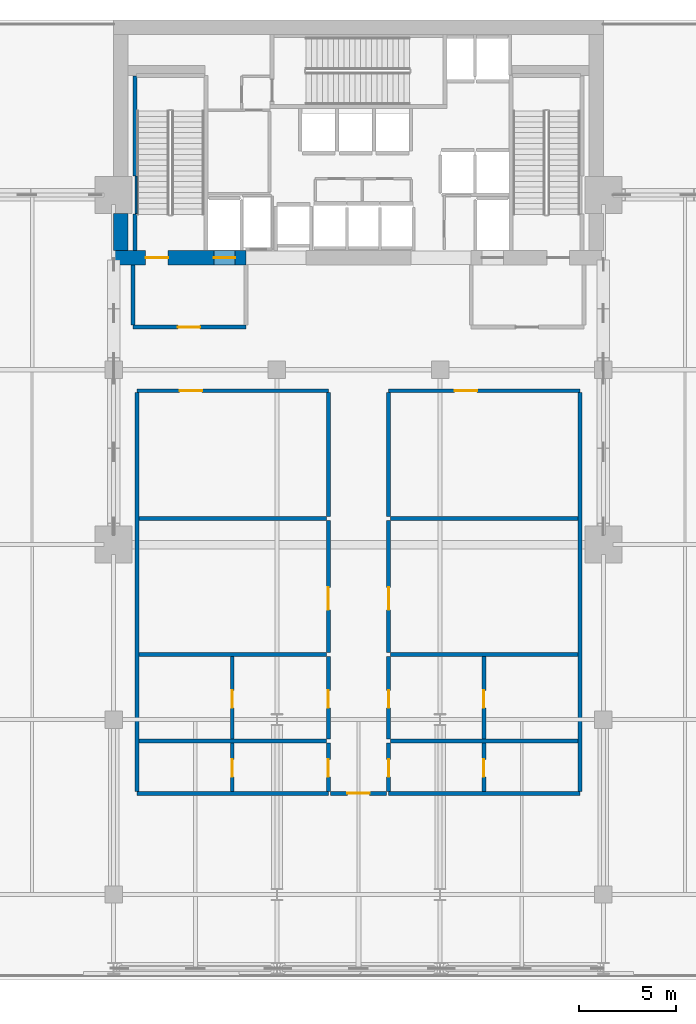
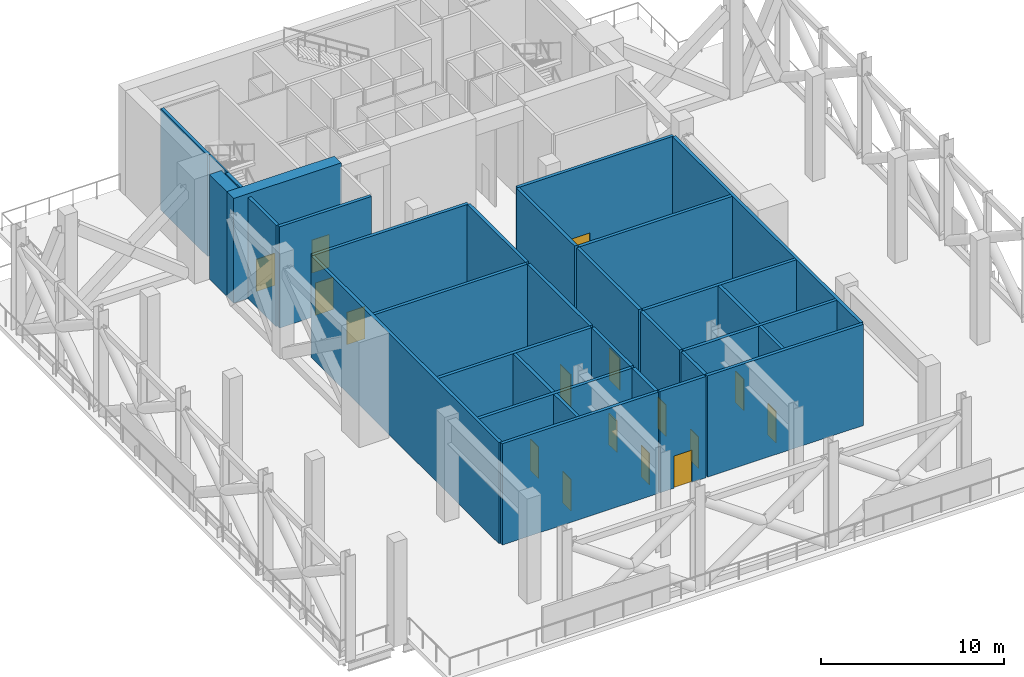
# One storey, part 9 of 14: 32 walls, 16 doors, 16 openings.
"""IFC4 building model written with IfcOpenShell, lengths in metres."""

from ifc_helpers import new_model, si_unit, direction, frame, frame_2d, origin, place, context, subcontext, project, spatial, rectangle, extrude, material, layer, layer_set, type_object, element, fill, save


model = new_model("IFC4")

# Units and contexts
model_context = context("Model", 3, precision=1e-05, world=origin(), true_north=direction((0.0, 1.0)))
body_context = subcontext(model_context, "Body", "Model", "MODEL_VIEW")
ifc_project = project(units=[si_unit("LENGTHUNIT", "METRE"), si_unit("AREAUNIT", "SQUARE_METRE"), si_unit("VOLUMEUNIT", "CUBIC_METRE"), si_unit("PLANEANGLEUNIT", "RADIAN"), si_unit("MASSUNIT", "GRAM", prefix="KILO")], contexts=[model_context])

# Site, building, storey
site_placement = place(None, origin())
site = spatial("IfcSite", under=ifc_project, at=site_placement, CompositionType="ELEMENT")
building_placement = place(site_placement, origin())
building = spatial("IfcBuilding", under=site, at=building_placement, Name="Maruvema Waterfront Hotel and Observation Tower", CompositionType="ELEMENT")
storey_placement = place(building_placement, frame((0.0, 0.0, 227.5)))
storey = spatial("IfcBuildingStorey", under=building, at=storey_placement, Name="L56", CompositionType="ELEMENT", Elevation=227.5)

# Walls
ifc_material_1 = material(Name="Precast concrete C45/55", Category="concrete")
ifc_layer_1 = layer(ifc_material_1, 0.199951171875, Name="Core Shaft and Stairwell Enclosure Wall 200 mm")
ifc_layer_set_1 = layer_set([ifc_layer_1], Name="Precast concrete C45/55")
wall_type_1 = type_object("IfcWallType", Name="Core Shaft and Stairwell Enclosure Wall 200 mm", PredefinedType="SOLIDWALL", material=ifc_layer_set_1)
wall_1_placement = place(storey_placement, frame((26.300048828125, 42.14990234375, 0.0), z_axis=(0.0, 0.0, 1.0), x_axis=(0.0, 1.0, 0.0)))
element("IfcWall", 1, at=wall_1_placement, inside=storey, type_object=wall_type_1, Name="L56 Stairwell ST-01 Shaft Lining Wall", PredefinedType="SOLIDWALL", context=body_context, shape_type="SweptSolid", body=[
    extrude(rectangle(XDim=1.8701171875, YDim=0.199951171875, at=frame_2d((0.93505859375, 0.0))), origin(), (0.0, 0.0, 1.0), 6.760009765625),
])
wall_2_placement = place(storey_placement, frame((26.300048828125, 45.97998046875, 0.0), z_axis=(0.0, 0.0, 1.0), x_axis=(0.0, 1.0, 0.0)))
element("IfcWall", 2, at=wall_2_placement, inside=storey, type_object=wall_type_1, Name="L56 Stairwell ST-01 Shaft Lining Wall", PredefinedType="SOLIDWALL", context=body_context, shape_type="SweptSolid", body=[
    extrude(rectangle(XDim=5.14013671875, YDim=0.199951171875, at=frame_2d((2.570068359375, 0.0))), origin(), (0.0, 0.0, 1.0), 6.760009765625),
])

# Wall, openings, doors
ifc_material_2 = material(Name="Concrete C70/85", Category="concrete")
ifc_layer_2 = layer(ifc_material_2, 0.75, Name="Core Shear Wall 750 mm")
ifc_layer_set_2 = layer_set([ifc_layer_2], Name="Concrete C70/85")
wall_type_2 = type_object("IfcWallType", Name="Core Shear Wall 750 mm", PredefinedType="SHEAR", material=ifc_layer_set_2)
wall_3_placement = place(storey_placement, frame((25.199951171875, 41.77490234375, 0.0), z_axis=(0.0, 0.0, 1.0), x_axis=(1.0, 0.0, 0.0)))
wall_3 = element("IfcWall", 3, at=wall_3_placement, inside=storey, type_object=wall_type_2, Name="L56 South-West Core Shear Wall", PredefinedType="SHEAR", context=body_context, shape_type="SweptSolid", body=[
    extrude(rectangle(XDim=6.800048828125, YDim=0.75, at=frame_2d((3.39990234375, 0.0))), origin(), (0.0, 0.0, 1.0), 7.0),
])
opening_1_placement = place(wall_3_placement, frame((1.64990234375, 0.0, 0.0)))
opening_1 = element("IfcOpeningElement", 4, at=opening_1_placement, cuts=wall_3, Name="Opening SD-01", PredefinedType="OPENING", context=body_context, shape_type="SweptSolid", body=[
    extrude(rectangle(XDim=1.14990234375, YDim=2.14990234375, at=frame_2d((0.574951171875, 1.074951171875))), frame((0.0, 0.385009765625, 0.0), z_axis=(0.0, -1.0, 0.0), x_axis=(1.0, 0.0, 0.0)), (0.0, 0.0, 1.0), 0.77001953125),
])
opening_2_placement = place(wall_3_placement, frame((5.14990234375, 0.0, 0.0)))
opening_2 = element("IfcOpeningElement", 5, at=opening_2_placement, cuts=wall_3, Name="Opening LD-03", PredefinedType="OPENING", context=body_context, shape_type="SweptSolid", body=[
    extrude(rectangle(XDim=1.10009765625, YDim=2.199951171875, at=frame_2d((0.550048828125, 1.10009765625))), frame((0.0, 0.385009765625, 0.0), z_axis=(0.0, -1.0, 0.0), x_axis=(1.0, 0.0, 0.0)), (0.0, 0.0, 1.0), 0.77001953125),
])
ifc_material_3 = material(Name="Fire-rated galvanised steel leaf", Category="steel")
door_type_1 = type_object("IfcDoorType", Name="Exit Stair Fire Door 1150x2150 mm", OperationType="NOTDEFINED", PredefinedType="DOOR", material=ifc_material_3)
door_1_placement = place(opening_1_placement, origin())
door_1 = element("IfcDoor", 6, at=door_1_placement, inside=storey, type_object=door_type_1, Name="L56 Exit Stair ST-01 Fire Door", OperationType="SINGLE_SWING_LEFT", OverallHeight=2.14990234375, OverallWidth=1.14990234375, PredefinedType="DOOR", context=body_context, shape_type="SweptSolid", body=[
    extrude(rectangle(XDim=1.14990234375, YDim=2.14990234375, at=frame_2d((0.574951171875, 1.074951171875))), frame((0.0, 0.02490234375, 0.0), z_axis=(0.0, -1.0, 0.0), x_axis=(1.0, 0.0, 0.0)), (0.0, 0.0, 1.0), 0.050048828125),
])
fill(opening_1, door_1)
ifc_material_4 = material(Name="Brushed stainless steel Grade 316", Category="steel")
door_type_2 = type_object("IfcDoorType", Name="Firefighting Lift Sliding Landing Door 1100x2200 mm", OperationType="SLIDING_TO_LEFT", PredefinedType="DOOR", material=ifc_material_4)
door_2_placement = place(opening_2_placement, frame((1.10009765625, 0.0, 0.0), z_axis=(0.0, 0.0, 1.0), x_axis=(-1.0, 0.0, 0.0)))
door_2 = element("IfcDoor", 7, at=door_2_placement, inside=storey, type_object=door_type_2, Name="L56 Firefighting Lift FL-01 Landing Door", OperationType="SLIDING_TO_LEFT", OverallHeight=2.199951171875, OverallWidth=1.10009765625, PredefinedType="DOOR", context=body_context, shape_type="SweptSolid", body=[
    extrude(rectangle(XDim=1.10009765625, YDim=2.199951171875, at=frame_2d((0.550048828125, 1.10009765625))), frame((0.0, 0.02490234375, 0.0), z_axis=(0.0, -1.0, 0.0), x_axis=(1.0, 0.0, 0.0)), (0.0, 0.0, 1.0), 0.050048828125),
])
fill(opening_2, door_2)

# Wall
wall_4_placement = place(storey_placement, frame((25.574951171875, 42.14990234375, 0.0), z_axis=(0.0, 0.0, 1.0), x_axis=(0.0, 1.0, 0.0)))
element("IfcWall", 8, at=wall_4_placement, inside=storey, type_object=wall_type_2, Name="L56 West-South Core Shear Wall", PredefinedType="SHEAR", context=body_context, shape_type="SweptSolid", body=[
    extrude(rectangle(XDim=1.900146484375, YDim=0.75, at=frame_2d((0.9501953125, 0.0))), origin(), (0.0, 0.0, 1.0), 7.0),
])

# Wall, opening, door
ifc_material_5 = material(Name="Autoclaved cellular concrete blockwork", Category="masonry")
ifc_layer_3 = layer(ifc_material_5, 0.199951171875, Name="Fire Compartment Masonry Wall 200 mm")
ifc_layer_set_3 = layer_set([ifc_layer_3], Name="Autoclaved cellular concrete blockwork")
wall_type_3 = type_object("IfcWallType", Name="Fire Compartment Masonry Wall 200 mm", PredefinedType="PARTITIONING", material=ifc_layer_set_3)
wall_5_placement = place(storey_placement, frame((26.199951171875, 38.199951171875, 0.0), z_axis=(0.0, 0.0, 1.0), x_axis=(1.0, 0.0, 0.0)))
wall_5 = element("IfcWall", 9, at=wall_5_placement, inside=storey, type_object=wall_type_3, Name="L56 FFL West South Wall 001", PredefinedType="PARTITIONING", context=body_context, shape_type="SweptSolid", body=[
    extrude(rectangle(XDim=5.800048828125, YDim=0.199951171875, at=frame_2d((2.89990234375, 0.0))), origin(), (0.0, 0.0, 1.0), 6.760009765625),
])
opening_3_placement = place(wall_5_placement, frame((2.300048828125, 0.0, 0.0)))
opening_3 = element("IfcOpeningElement", 10, at=opening_3_placement, cuts=wall_5, Name="Opening FD-115", PredefinedType="OPENING", context=body_context, shape_type="SweptSolid", body=[
    extrude(rectangle(XDim=1.14990234375, YDim=2.14990234375, at=frame_2d((0.574951171875, 1.074951171875))), frame((0.0, 0.10986328125, 0.0), z_axis=(0.0, -1.0, 0.0), x_axis=(1.0, 0.0, 0.0)), (0.0, 0.0, 1.0), 0.219970703125),
])
ifc_material_6 = material(Name="Fire-rated galvanised steel and vision glass", Category="steel")
door_type_3 = type_object("IfcDoorType", Name="Firefighting Lobby Fire Door 1150x2150 mm", OperationType="NOTDEFINED", PredefinedType="DOOR", material=ifc_material_6)
door_3_placement = place(opening_3_placement, frame((1.14990234375, 0.0, 0.0), z_axis=(0.0, 0.0, 1.0), x_axis=(-1.0, 0.0, 0.0)))
door_3 = element("IfcDoor", 11, at=door_3_placement, inside=storey, type_object=door_type_3, Name="L56 Firefighting Lobby West Door", OperationType="SINGLE_SWING_RIGHT", OverallHeight=2.14990234375, OverallWidth=1.14990234375, PredefinedType="DOOR", context=body_context, shape_type="SweptSolid", body=[
    extrude(rectangle(XDim=1.14990234375, YDim=2.14990234375, at=frame_2d((0.574951171875, 1.074951171875))), frame((0.0, 0.02490234375, 0.0), z_axis=(0.0, -1.0, 0.0), x_axis=(1.0, 0.0, 0.0)), (0.0, 0.0, 1.0), 0.050048828125),
])
fill(opening_3, door_3)

# Wall
wall_6_placement = place(storey_placement, frame((26.199951171875, 38.31005859375, 0.0), z_axis=(0.0, 0.0, 1.0), x_axis=(0.0, 1.0, 0.0)))
element("IfcWall", 12, at=wall_6_placement, inside=storey, type_object=wall_type_3, Name="L56 FFL West West Wall 002", PredefinedType="PARTITIONING", context=body_context, shape_type="SweptSolid", body=[
    extrude(rectangle(XDim=3.06982421875, YDim=0.199951171875, at=frame_2d((1.534912109375, 0.0))), origin(), (0.0, 0.0, 1.0), 6.760009765625),
])

# Wall, opening, door
wall_7_placement = place(storey_placement, frame((26.39990234375, 34.919921875, 0.0), z_axis=(0.0, 0.0, 1.0), x_axis=(1.0, 0.0, 0.0)))
wall_7 = element("IfcWall", 13, at=wall_7_placement, inside=storey, type_object=wall_type_3, Name="L56 L56 West N Wall 022", PredefinedType="PARTITIONING", context=body_context, shape_type="SweptSolid", body=[
    extrude(rectangle(XDim=9.85009765625, YDim=0.199951171875, at=frame_2d((4.925048828125, 0.0))), origin(), (0.0, 0.0, 1.0), 6.760009765625),
])
opening_4_placement = place(wall_7_placement, frame((2.199951171875, 0.0, 0.0)))
opening_4 = element("IfcOpeningElement", 14, at=opening_4_placement, cuts=wall_7, Name="Opening FD-115", PredefinedType="OPENING", context=body_context, shape_type="SweptSolid", body=[
    extrude(rectangle(XDim=1.14990234375, YDim=2.14990234375, at=frame_2d((0.574951171875, 1.074951171875))), frame((0.0, 0.10986328125, 0.0), z_axis=(0.0, -1.0, 0.0), x_axis=(1.0, 0.0, 0.0)), (0.0, 0.0, 1.0), 0.219970703125),
])
door_4_placement = place(opening_4_placement, origin())
door_4 = element("IfcDoor", 15, at=door_4_placement, inside=storey, type_object=door_type_3, Name="L56 Refuge Area North-West Door", OperationType="SINGLE_SWING_RIGHT", OverallHeight=2.14990234375, OverallWidth=1.14990234375, PredefinedType="DOOR", context=body_context, shape_type="SweptSolid", body=[
    extrude(rectangle(XDim=1.14990234375, YDim=2.14990234375, at=frame_2d((0.574951171875, 1.074951171875))), frame((0.0, 0.02490234375, 0.0), z_axis=(0.0, -1.0, 0.0), x_axis=(1.0, 0.0, 0.0)), (0.0, 0.0, 1.0), 0.050048828125),
])
fill(opening_4, door_4)

# Walls
for number, where, z_axis, x_axis, name in (
    (16, (26.5, 28.35009765625, 0.0), (0.0, 0.0, 1.0), (1.0, 0.0, 0.0), "L56 L56 West Refuge Mid 023"),
    (17, (26.5, 21.35009765625, 0.0), (0.0, 0.0, 1.0), (1.0, 0.0, 0.0), "L56 L56 West Plant Top 024"),
    (18, (26.5, 16.89990234375, 0.0), (0.0, 0.0, 1.0), (1.0, 0.0, 0.0), "L56 L56 West Plant Mid 025"),
):
    element("IfcWall", number, at=place(storey_placement, frame(where, z_axis=z_axis, x_axis=x_axis)), inside=storey, type_object=wall_type_3, Name=name, PredefinedType="PARTITIONING", context=body_context, shape_type="SweptSolid", body=[
        extrude(rectangle(XDim=9.64990234375, YDim=0.199951171875, at=frame_2d((4.824951171875, 0.0))), origin(), (0.0, 0.0, 1.0), 6.760009765625),
    ])
wall_8_placement = place(storey_placement, frame((26.39990234375, 14.199951171875, 0.0), z_axis=(0.0, 0.0, 1.0), x_axis=(1.0, 0.0, 0.0)))
element("IfcWall", 19, at=wall_8_placement, inside=storey, type_object=wall_type_3, Name="L56 L56 West S Wall 026", PredefinedType="PARTITIONING", context=body_context, shape_type="SweptSolid", body=[
    extrude(rectangle(XDim=9.85009765625, YDim=0.199951171875, at=frame_2d((4.925048828125, 0.0))), origin(), (0.0, 0.0, 1.0), 6.760009765625),
])
wall_9_placement = place(storey_placement, frame((26.39990234375, 14.300048828125, 0.0), z_axis=(0.0, 0.0, 1.0), x_axis=(0.0, 1.0, 0.0)))
element("IfcWall", 20, at=wall_9_placement, inside=storey, type_object=wall_type_3, Name="L56 L56 West Outer Wall 027", PredefinedType="PARTITIONING", context=body_context, shape_type="SweptSolid", body=[
    extrude(rectangle(XDim=20.52001953125, YDim=0.199951171875, at=frame_2d((10.260009765625, 0.0))), origin(), (0.0, 0.0, 1.0), 6.760009765625),
])
wall_10_placement = place(storey_placement, frame((36.25, 28.449951171875, 0.0), z_axis=(0.0, 0.0, 1.0), x_axis=(0.0, 1.0, 0.0)))
element("IfcWall", 21, at=wall_10_placement, inside=storey, type_object=wall_type_3, Name="L56 L56 West Spine Upper 028", PredefinedType="PARTITIONING", context=body_context, shape_type="SweptSolid", body=[
    extrude(rectangle(XDim=6.3701171875, YDim=0.199951171875, at=frame_2d((3.18505859375, 0.0))), origin(), (0.0, 0.0, 1.0), 6.760009765625),
])

# Wall, opening, door
wall_11_placement = place(storey_placement, frame((36.25, 21.449951171875, 0.0), z_axis=(0.0, 0.0, 1.0), x_axis=(0.0, 1.0, 0.0)))
wall_11 = element("IfcWall", 22, at=wall_11_placement, inside=storey, type_object=wall_type_3, Name="L56 L56 West Spine Refuge 029", PredefinedType="PARTITIONING", context=body_context, shape_type="SweptSolid", body=[
    extrude(rectangle(XDim=6.800048828125, YDim=0.199951171875, at=frame_2d((3.39990234375, 0.0))), origin(), (0.0, 0.0, 1.0), 6.760009765625),
])
opening_5_placement = place(wall_11_placement, frame((2.199951171875, 0.0, 0.0)))
opening_5 = element("IfcOpeningElement", 23, at=opening_5_placement, cuts=wall_11, Name="Opening FD-115", PredefinedType="OPENING", context=body_context, shape_type="SweptSolid", body=[
    extrude(rectangle(XDim=1.14990234375, YDim=2.14990234375, at=frame_2d((0.574951171875, 1.074951171875))), frame((0.0, 0.10986328125, 0.0), z_axis=(0.0, -1.0, 0.0), x_axis=(1.0, 0.0, 0.0)), (0.0, 0.0, 1.0), 0.219970703125),
])
door_5_placement = place(opening_5_placement, origin())
door_5 = element("IfcDoor", 24, at=door_5_placement, inside=storey, type_object=door_type_3, Name="L56 Refuge Area South-West Door", OperationType="SINGLE_SWING_LEFT", OverallHeight=2.14990234375, OverallWidth=1.14990234375, PredefinedType="DOOR", context=body_context, shape_type="SweptSolid", body=[
    extrude(rectangle(XDim=1.14990234375, YDim=2.14990234375, at=frame_2d((0.574951171875, 1.074951171875))), frame((0.0, 0.02490234375, 0.0), z_axis=(0.0, -1.0, 0.0), x_axis=(1.0, 0.0, 0.0)), (0.0, 0.0, 1.0), 0.050048828125),
])
fill(opening_5, door_5)

wall_12_placement = place(storey_placement, frame((36.25, 17.0, 0.0), z_axis=(0.0, 0.0, 1.0), x_axis=(0.0, 1.0, 0.0)))
wall_12 = element("IfcWall", 25, at=wall_12_placement, inside=storey, type_object=wall_type_3, Name="L56 L56 West Spine Plant N 030", PredefinedType="PARTITIONING", context=body_context, shape_type="SweptSolid", body=[
    extrude(rectangle(XDim=4.25, YDim=0.199951171875, at=frame_2d((2.125, 0.0))), origin(), (0.0, 0.0, 1.0), 6.760009765625),
])
opening_6_placement = place(wall_12_placement, frame((1.60009765625, 0.0, 0.0)))
opening_6 = element("IfcOpeningElement", 26, at=opening_6_placement, cuts=wall_12, Name="Opening DR-090", PredefinedType="OPENING", context=body_context, shape_type="SweptSolid", body=[
    extrude(rectangle(XDim=0.89990234375, YDim=2.10009765625, at=frame_2d((0.449951171875, 1.050048828125))), frame((0.0, 0.10986328125, 0.0), z_axis=(0.0, -1.0, 0.0), x_axis=(1.0, 0.0, 0.0)), (0.0, 0.0, 1.0), 0.219970703125),
])
ifc_material_7 = material(Name="Solid-core lacquered timber leaf", Category="wood")
door_type_4 = type_object("IfcDoorType", Name="Accessible Toilet and Room Door 900x2100 mm", OperationType="NOTDEFINED", PredefinedType="DOOR", material=ifc_material_7)
door_6_placement = place(opening_6_placement, origin())
door_6 = element("IfcDoor", 27, at=door_6_placement, inside=storey, type_object=door_type_4, Name="L56 West Plant N Spine Door", OperationType="SINGLE_SWING_LEFT", OverallHeight=2.10009765625, OverallWidth=0.89990234375, PredefinedType="DOOR", context=body_context, shape_type="SweptSolid", body=[
    extrude(rectangle(XDim=0.89990234375, YDim=2.10009765625, at=frame_2d((0.449951171875, 1.050048828125))), frame((0.0, 0.02490234375, 0.0), z_axis=(0.0, -1.0, 0.0), x_axis=(1.0, 0.0, 0.0)), (0.0, 0.0, 1.0), 0.050048828125),
])
fill(opening_6, door_6)

wall_13_placement = place(storey_placement, frame((36.25, 14.300048828125, 0.0), z_axis=(0.0, 0.0, 1.0), x_axis=(0.0, 1.0, 0.0)))
wall_13 = element("IfcWall", 28, at=wall_13_placement, inside=storey, type_object=wall_type_3, Name="L56 L56 West Spine Plant S 031", PredefinedType="PARTITIONING", context=body_context, shape_type="SweptSolid", body=[
    extrude(rectangle(XDim=2.5, YDim=0.199951171875, at=frame_2d((1.25, 0.0))), origin(), (0.0, 0.0, 1.0), 6.760009765625),
])
opening_7_placement = place(wall_13_placement, frame((0.75, 0.0, 0.0)))
opening_7 = element("IfcOpeningElement", 29, at=opening_7_placement, cuts=wall_13, Name="Opening DR-090", PredefinedType="OPENING", context=body_context, shape_type="SweptSolid", body=[
    extrude(rectangle(XDim=0.89990234375, YDim=2.10009765625, at=frame_2d((0.449951171875, 1.050048828125))), frame((0.0, 0.10986328125, 0.0), z_axis=(0.0, -1.0, 0.0), x_axis=(1.0, 0.0, 0.0)), (0.0, 0.0, 1.0), 0.219970703125),
])
door_7_placement = place(opening_7_placement, origin())
door_7 = element("IfcDoor", 30, at=door_7_placement, inside=storey, type_object=door_type_4, Name="L56 West Plant S Spine Door", OperationType="SINGLE_SWING_RIGHT", OverallHeight=2.10009765625, OverallWidth=0.89990234375, PredefinedType="DOOR", context=body_context, shape_type="SweptSolid", body=[
    extrude(rectangle(XDim=0.89990234375, YDim=2.10009765625, at=frame_2d((0.449951171875, 1.050048828125))), frame((0.0, 0.02490234375, 0.0), z_axis=(0.0, -1.0, 0.0), x_axis=(1.0, 0.0, 0.0)), (0.0, 0.0, 1.0), 0.050048828125),
])
fill(opening_7, door_7)

wall_14_placement = place(storey_placement, frame((31.300048828125, 14.300048828125, 0.0), z_axis=(0.0, 0.0, 1.0), x_axis=(0.0, 1.0, 0.0)))
wall_14 = element("IfcWall", 31, at=wall_14_placement, inside=storey, type_object=wall_type_3, Name="L56 L56 West Mid S 032", PredefinedType="PARTITIONING", context=body_context, shape_type="SweptSolid", body=[
    extrude(rectangle(XDim=2.5, YDim=0.199951171875, at=frame_2d((1.25, 0.0))), origin(), (0.0, 0.0, 1.0), 6.760009765625),
])
opening_8_placement = place(wall_14_placement, frame((0.75, 0.0, 0.0)))
opening_8 = element("IfcOpeningElement", 32, at=opening_8_placement, cuts=wall_14, Name="Opening DR-090", PredefinedType="OPENING", context=body_context, shape_type="SweptSolid", body=[
    extrude(rectangle(XDim=0.89990234375, YDim=2.10009765625, at=frame_2d((0.449951171875, 1.050048828125))), frame((0.0, 0.10986328125, 0.0), z_axis=(0.0, -1.0, 0.0), x_axis=(1.0, 0.0, 0.0)), (0.0, 0.0, 1.0), 0.219970703125),
])
door_8_placement = place(opening_8_placement, origin())
door_8 = element("IfcDoor", 33, at=door_8_placement, inside=storey, type_object=door_type_4, Name="L56 West Outer Plant S Door", OperationType="SINGLE_SWING_RIGHT", OverallHeight=2.10009765625, OverallWidth=0.89990234375, PredefinedType="DOOR", context=body_context, shape_type="SweptSolid", body=[
    extrude(rectangle(XDim=0.89990234375, YDim=2.10009765625, at=frame_2d((0.449951171875, 1.050048828125))), frame((0.0, 0.02490234375, 0.0), z_axis=(0.0, -1.0, 0.0), x_axis=(1.0, 0.0, 0.0)), (0.0, 0.0, 1.0), 0.050048828125),
])
fill(opening_8, door_8)

wall_15_placement = place(storey_placement, frame((31.300048828125, 17.0, 0.0), z_axis=(0.0, 0.0, 1.0), x_axis=(0.0, 1.0, 0.0)))
wall_15 = element("IfcWall", 34, at=wall_15_placement, inside=storey, type_object=wall_type_3, Name="L56 L56 West Mid N 033", PredefinedType="PARTITIONING", context=body_context, shape_type="SweptSolid", body=[
    extrude(rectangle(XDim=4.25, YDim=0.199951171875, at=frame_2d((2.125, 0.0))), origin(), (0.0, 0.0, 1.0), 6.760009765625),
])
opening_9_placement = place(wall_15_placement, frame((1.60009765625, 0.0, 0.0)))
opening_9 = element("IfcOpeningElement", 35, at=opening_9_placement, cuts=wall_15, Name="Opening DR-090", PredefinedType="OPENING", context=body_context, shape_type="SweptSolid", body=[
    extrude(rectangle(XDim=0.89990234375, YDim=2.10009765625, at=frame_2d((0.449951171875, 1.050048828125))), frame((0.0, 0.10986328125, 0.0), z_axis=(0.0, -1.0, 0.0), x_axis=(1.0, 0.0, 0.0)), (0.0, 0.0, 1.0), 0.219970703125),
])
door_9_placement = place(opening_9_placement, origin())
door_9 = element("IfcDoor", 36, at=door_9_placement, inside=storey, type_object=door_type_4, Name="L56 West Outer Plant N Door", OperationType="SINGLE_SWING_LEFT", OverallHeight=2.10009765625, OverallWidth=0.89990234375, PredefinedType="DOOR", context=body_context, shape_type="SweptSolid", body=[
    extrude(rectangle(XDim=0.89990234375, YDim=2.10009765625, at=frame_2d((0.449951171875, 1.050048828125))), frame((0.0, 0.02490234375, 0.0), z_axis=(0.0, -1.0, 0.0), x_axis=(1.0, 0.0, 0.0)), (0.0, 0.0, 1.0), 0.050048828125),
])
fill(opening_9, door_9)

wall_16_placement = place(storey_placement, frame((39.35009765625, 34.919921875, 0.0), z_axis=(0.0, 0.0, 1.0), x_axis=(1.0, 0.0, 0.0)))
wall_16 = element("IfcWall", 37, at=wall_16_placement, inside=storey, type_object=wall_type_3, Name="L56 L56 East N Wall 034", PredefinedType="PARTITIONING", context=body_context, shape_type="SweptSolid", body=[
    extrude(rectangle(XDim=9.849853515625, YDim=0.199951171875, at=frame_2d((4.9248046875, 0.0))), origin(), (0.0, 0.0, 1.0), 6.760009765625),
])
opening_10_placement = place(wall_16_placement, frame((3.39990234375, 0.0, 0.0)))
opening_10 = element("IfcOpeningElement", 38, at=opening_10_placement, cuts=wall_16, Name="Opening FD-115", PredefinedType="OPENING", context=body_context, shape_type="SweptSolid", body=[
    extrude(rectangle(XDim=1.14990234375, YDim=2.14990234375, at=frame_2d((0.574951171875, 1.074951171875))), frame((0.0, 0.10986328125, 0.0), z_axis=(0.0, -1.0, 0.0), x_axis=(1.0, 0.0, 0.0)), (0.0, 0.0, 1.0), 0.219970703125),
])
door_10_placement = place(opening_10_placement, origin())
door_10 = element("IfcDoor", 39, at=door_10_placement, inside=storey, type_object=door_type_3, Name="L56 Refuge Area North-East Door", OperationType="SINGLE_SWING_RIGHT", OverallHeight=2.14990234375, OverallWidth=1.14990234375, PredefinedType="DOOR", context=body_context, shape_type="SweptSolid", body=[
    extrude(rectangle(XDim=1.14990234375, YDim=2.14990234375, at=frame_2d((0.574951171875, 1.074951171875))), frame((0.0, 0.02490234375, 0.0), z_axis=(0.0, -1.0, 0.0), x_axis=(1.0, 0.0, 0.0)), (0.0, 0.0, 1.0), 0.050048828125),
])
fill(opening_10, door_10)

# Walls
for number, where, z_axis, x_axis, name in (
    (40, (39.449951171875, 28.35009765625, 0.0), (0.0, 0.0, 1.0), (1.0, 0.0, 0.0), "L56 L56 East Refuge Mid 035"),
    (41, (39.449951171875, 21.35009765625, 0.0), (0.0, 0.0, 1.0), (1.0, 0.0, 0.0), "L56 L56 East Plant Top 036"),
    (42, (39.449951171875, 16.89990234375, 0.0), (0.0, 0.0, 1.0), (1.0, 0.0, 0.0), "L56 L56 East Plant Mid 037"),
):
    element("IfcWall", number, at=place(storey_placement, frame(where, z_axis=z_axis, x_axis=x_axis)), inside=storey, type_object=wall_type_3, Name=name, PredefinedType="PARTITIONING", context=body_context, shape_type="SweptSolid", body=[
        extrude(rectangle(XDim=9.650146484375, YDim=0.199951171875, at=frame_2d((4.8251953125, 0.0))), origin(), (0.0, 0.0, 1.0), 6.760009765625),
    ])
wall_17_placement = place(storey_placement, frame((39.35009765625, 14.199951171875, 0.0), z_axis=(0.0, 0.0, 1.0), x_axis=(1.0, 0.0, 0.0)))
element("IfcWall", 43, at=wall_17_placement, inside=storey, type_object=wall_type_3, Name="L56 L56 East S Wall 038", PredefinedType="PARTITIONING", context=body_context, shape_type="SweptSolid", body=[
    extrude(rectangle(XDim=9.849853515625, YDim=0.199951171875, at=frame_2d((4.9248046875, 0.0))), origin(), (0.0, 0.0, 1.0), 6.760009765625),
])
wall_18_placement = place(storey_placement, frame((49.199951171875, 14.300048828125, 0.0), z_axis=(0.0, 0.0, 1.0), x_axis=(0.0, 1.0, 0.0)))
element("IfcWall", 44, at=wall_18_placement, inside=storey, type_object=wall_type_3, Name="L56 L56 East Outer Wall 039", PredefinedType="PARTITIONING", context=body_context, shape_type="SweptSolid", body=[
    extrude(rectangle(XDim=20.52001953125, YDim=0.199951171875, at=frame_2d((10.260009765625, 0.0))), origin(), (0.0, 0.0, 1.0), 6.760009765625),
])
wall_19_placement = place(storey_placement, frame((39.35009765625, 28.449951171875, 0.0), z_axis=(0.0, 0.0, 1.0), x_axis=(0.0, 1.0, 0.0)))
element("IfcWall", 45, at=wall_19_placement, inside=storey, type_object=wall_type_3, Name="L56 L56 East Spine Upper 040", PredefinedType="PARTITIONING", context=body_context, shape_type="SweptSolid", body=[
    extrude(rectangle(XDim=6.3701171875, YDim=0.199951171875, at=frame_2d((3.18505859375, 0.0))), origin(), (0.0, 0.0, 1.0), 6.760009765625),
])

# Wall, opening, door
wall_20_placement = place(storey_placement, frame((39.35009765625, 21.449951171875, 0.0), z_axis=(0.0, 0.0, 1.0), x_axis=(0.0, 1.0, 0.0)))
wall_20 = element("IfcWall", 46, at=wall_20_placement, inside=storey, type_object=wall_type_3, Name="L56 L56 East Spine Refuge 041", PredefinedType="PARTITIONING", context=body_context, shape_type="SweptSolid", body=[
    extrude(rectangle(XDim=6.800048828125, YDim=0.199951171875, at=frame_2d((3.39990234375, 0.0))), origin(), (0.0, 0.0, 1.0), 6.760009765625),
])
opening_11_placement = place(wall_20_placement, frame((2.199951171875, 0.0, 0.0)))
opening_11 = element("IfcOpeningElement", 47, at=opening_11_placement, cuts=wall_20, Name="Opening FD-115", PredefinedType="OPENING", context=body_context, shape_type="SweptSolid", body=[
    extrude(rectangle(XDim=1.14990234375, YDim=2.14990234375, at=frame_2d((0.574951171875, 1.074951171875))), frame((0.0, 0.10986328125, 0.0), z_axis=(0.0, -1.0, 0.0), x_axis=(1.0, 0.0, 0.0)), (0.0, 0.0, 1.0), 0.219970703125),
])
door_11_placement = place(opening_11_placement, frame((1.14990234375, 0.0, 0.0), z_axis=(0.0, 0.0, 1.0), x_axis=(-1.0, 0.0, 0.0)))
door_11 = element("IfcDoor", 48, at=door_11_placement, inside=storey, type_object=door_type_3, Name="L56 Refuge Area South-East Door", OperationType="SINGLE_SWING_LEFT", OverallHeight=2.14990234375, OverallWidth=1.14990234375, PredefinedType="DOOR", context=body_context, shape_type="SweptSolid", body=[
    extrude(rectangle(XDim=1.14990234375, YDim=2.14990234375, at=frame_2d((0.574951171875, 1.074951171875))), frame((0.0, 0.02490234375, 0.0), z_axis=(0.0, -1.0, 0.0), x_axis=(1.0, 0.0, 0.0)), (0.0, 0.0, 1.0), 0.050048828125),
])
fill(opening_11, door_11)

wall_21_placement = place(storey_placement, frame((39.35009765625, 17.0, 0.0), z_axis=(0.0, 0.0, 1.0), x_axis=(0.0, 1.0, 0.0)))
wall_21 = element("IfcWall", 49, at=wall_21_placement, inside=storey, type_object=wall_type_3, Name="L56 L56 East Spine Plant N 042", PredefinedType="PARTITIONING", context=body_context, shape_type="SweptSolid", body=[
    extrude(rectangle(XDim=4.25, YDim=0.199951171875, at=frame_2d((2.125, 0.0))), origin(), (0.0, 0.0, 1.0), 6.760009765625),
])
opening_12_placement = place(wall_21_placement, frame((1.60009765625, 0.0, 0.0)))
opening_12 = element("IfcOpeningElement", 50, at=opening_12_placement, cuts=wall_21, Name="Opening DR-090", PredefinedType="OPENING", context=body_context, shape_type="SweptSolid", body=[
    extrude(rectangle(XDim=0.89990234375, YDim=2.10009765625, at=frame_2d((0.449951171875, 1.050048828125))), frame((0.0, 0.10986328125, 0.0), z_axis=(0.0, -1.0, 0.0), x_axis=(1.0, 0.0, 0.0)), (0.0, 0.0, 1.0), 0.219970703125),
])
door_12_placement = place(opening_12_placement, frame((0.89990234375, 0.0, 0.0), z_axis=(0.0, 0.0, 1.0), x_axis=(-1.0, 0.0, 0.0)))
door_12 = element("IfcDoor", 51, at=door_12_placement, inside=storey, type_object=door_type_4, Name="L56 East Plant N Spine Door", OperationType="SINGLE_SWING_LEFT", OverallHeight=2.10009765625, OverallWidth=0.89990234375, PredefinedType="DOOR", context=body_context, shape_type="SweptSolid", body=[
    extrude(rectangle(XDim=0.89990234375, YDim=2.10009765625, at=frame_2d((0.449951171875, 1.050048828125))), frame((0.0, 0.02490234375, 0.0), z_axis=(0.0, -1.0, 0.0), x_axis=(1.0, 0.0, 0.0)), (0.0, 0.0, 1.0), 0.050048828125),
])
fill(opening_12, door_12)

wall_22_placement = place(storey_placement, frame((39.35009765625, 14.300048828125, 0.0), z_axis=(0.0, 0.0, 1.0), x_axis=(0.0, 1.0, 0.0)))
wall_22 = element("IfcWall", 52, at=wall_22_placement, inside=storey, type_object=wall_type_3, Name="L56 L56 East Spine Plant S 043", PredefinedType="PARTITIONING", context=body_context, shape_type="SweptSolid", body=[
    extrude(rectangle(XDim=2.5, YDim=0.199951171875, at=frame_2d((1.25, 0.0))), origin(), (0.0, 0.0, 1.0), 6.760009765625),
])
opening_13_placement = place(wall_22_placement, frame((0.75, 0.0, 0.0)))
opening_13 = element("IfcOpeningElement", 53, at=opening_13_placement, cuts=wall_22, Name="Opening DR-090", PredefinedType="OPENING", context=body_context, shape_type="SweptSolid", body=[
    extrude(rectangle(XDim=0.89990234375, YDim=2.10009765625, at=frame_2d((0.449951171875, 1.050048828125))), frame((0.0, 0.10986328125, 0.0), z_axis=(0.0, -1.0, 0.0), x_axis=(1.0, 0.0, 0.0)), (0.0, 0.0, 1.0), 0.219970703125),
])
door_13_placement = place(opening_13_placement, frame((0.89990234375, 0.0, 0.0), z_axis=(0.0, 0.0, 1.0), x_axis=(-1.0, 0.0, 0.0)))
door_13 = element("IfcDoor", 54, at=door_13_placement, inside=storey, type_object=door_type_4, Name="L56 East Plant S Spine Door", OperationType="SINGLE_SWING_RIGHT", OverallHeight=2.10009765625, OverallWidth=0.89990234375, PredefinedType="DOOR", context=body_context, shape_type="SweptSolid", body=[
    extrude(rectangle(XDim=0.89990234375, YDim=2.10009765625, at=frame_2d((0.449951171875, 1.050048828125))), frame((0.0, 0.02490234375, 0.0), z_axis=(0.0, -1.0, 0.0), x_axis=(1.0, 0.0, 0.0)), (0.0, 0.0, 1.0), 0.050048828125),
])
fill(opening_13, door_13)

wall_23_placement = place(storey_placement, frame((44.25, 14.300048828125, 0.0), z_axis=(0.0, 0.0, 1.0), x_axis=(0.0, 1.0, 0.0)))
wall_23 = element("IfcWall", 55, at=wall_23_placement, inside=storey, type_object=wall_type_3, Name="L56 L56 East Mid S 044", PredefinedType="PARTITIONING", context=body_context, shape_type="SweptSolid", body=[
    extrude(rectangle(XDim=2.5, YDim=0.199951171875, at=frame_2d((1.25, 0.0))), origin(), (0.0, 0.0, 1.0), 6.760009765625),
])
opening_14_placement = place(wall_23_placement, frame((0.75, 0.0, 0.0)))
opening_14 = element("IfcOpeningElement", 56, at=opening_14_placement, cuts=wall_23, Name="Opening DR-090", PredefinedType="OPENING", context=body_context, shape_type="SweptSolid", body=[
    extrude(rectangle(XDim=0.89990234375, YDim=2.10009765625, at=frame_2d((0.449951171875, 1.050048828125))), frame((0.0, 0.10986328125, 0.0), z_axis=(0.0, -1.0, 0.0), x_axis=(1.0, 0.0, 0.0)), (0.0, 0.0, 1.0), 0.219970703125),
])
door_14_placement = place(opening_14_placement, frame((0.89990234375, 0.0, 0.0), z_axis=(0.0, 0.0, 1.0), x_axis=(-1.0, 0.0, 0.0)))
door_14 = element("IfcDoor", 57, at=door_14_placement, inside=storey, type_object=door_type_4, Name="L56 East Outer Plant S Door", OperationType="SINGLE_SWING_RIGHT", OverallHeight=2.10009765625, OverallWidth=0.89990234375, PredefinedType="DOOR", context=body_context, shape_type="SweptSolid", body=[
    extrude(rectangle(XDim=0.89990234375, YDim=2.10009765625, at=frame_2d((0.449951171875, 1.050048828125))), frame((0.0, 0.02490234375, 0.0), z_axis=(0.0, -1.0, 0.0), x_axis=(1.0, 0.0, 0.0)), (0.0, 0.0, 1.0), 0.050048828125),
])
fill(opening_14, door_14)

wall_24_placement = place(storey_placement, frame((44.25, 17.0, 0.0), z_axis=(0.0, 0.0, 1.0), x_axis=(0.0, 1.0, 0.0)))
wall_24 = element("IfcWall", 58, at=wall_24_placement, inside=storey, type_object=wall_type_3, Name="L56 L56 East Mid N 045", PredefinedType="PARTITIONING", context=body_context, shape_type="SweptSolid", body=[
    extrude(rectangle(XDim=4.25, YDim=0.199951171875, at=frame_2d((2.125, 0.0))), origin(), (0.0, 0.0, 1.0), 6.760009765625),
])
opening_15_placement = place(wall_24_placement, frame((1.60009765625, 0.0, 0.0)))
opening_15 = element("IfcOpeningElement", 59, at=opening_15_placement, cuts=wall_24, Name="Opening DR-090", PredefinedType="OPENING", context=body_context, shape_type="SweptSolid", body=[
    extrude(rectangle(XDim=0.89990234375, YDim=2.10009765625, at=frame_2d((0.449951171875, 1.050048828125))), frame((0.0, 0.10986328125, 0.0), z_axis=(0.0, -1.0, 0.0), x_axis=(1.0, 0.0, 0.0)), (0.0, 0.0, 1.0), 0.219970703125),
])
door_15_placement = place(opening_15_placement, frame((0.89990234375, 0.0, 0.0), z_axis=(0.0, 0.0, 1.0), x_axis=(-1.0, 0.0, 0.0)))
door_15 = element("IfcDoor", 60, at=door_15_placement, inside=storey, type_object=door_type_4, Name="L56 East Outer Plant N Door", OperationType="SINGLE_SWING_LEFT", OverallHeight=2.10009765625, OverallWidth=0.89990234375, PredefinedType="DOOR", context=body_context, shape_type="SweptSolid", body=[
    extrude(rectangle(XDim=0.89990234375, YDim=2.10009765625, at=frame_2d((0.449951171875, 1.050048828125))), frame((0.0, 0.02490234375, 0.0), z_axis=(0.0, -1.0, 0.0), x_axis=(1.0, 0.0, 0.0)), (0.0, 0.0, 1.0), 0.050048828125),
])
fill(opening_15, door_15)

wall_25_placement = place(storey_placement, frame((36.35009765625, 14.199951171875, 0.0), z_axis=(0.0, 0.0, 1.0), x_axis=(1.0, 0.0, 0.0)))
wall_25 = element("IfcWall", 61, at=wall_25_placement, inside=storey, type_object=wall_type_3, Name="L56 L56 Spine South Wall 046", PredefinedType="PARTITIONING", context=body_context, shape_type="SweptSolid", body=[
    extrude(rectangle(XDim=2.89990234375, YDim=0.199951171875, at=frame_2d((1.449951171875, 0.0))), origin(), (0.0, 0.0, 1.0), 6.760009765625),
])
opening_16_placement = place(wall_25_placement, frame((0.875, 0.0, 0.0)))
opening_16 = element("IfcOpeningElement", 62, at=opening_16_placement, cuts=wall_25, Name="Opening FD-115", PredefinedType="OPENING", context=body_context, shape_type="SweptSolid", body=[
    extrude(rectangle(XDim=1.14990234375, YDim=2.14990234375, at=frame_2d((0.574951171875, 1.074951171875))), frame((0.0, 0.10986328125, 0.0), z_axis=(0.0, -1.0, 0.0), x_axis=(1.0, 0.0, 0.0)), (0.0, 0.0, 1.0), 0.219970703125),
])
door_16_placement = place(opening_16_placement, origin())
door_16 = element("IfcDoor", 63, at=door_16_placement, inside=storey, type_object=door_type_3, Name="L56 L56 Wind Deck Access Door", OperationType="SINGLE_SWING_RIGHT", OverallHeight=2.14990234375, OverallWidth=1.14990234375, PredefinedType="DOOR", context=body_context, shape_type="SweptSolid", body=[
    extrude(rectangle(XDim=1.14990234375, YDim=2.14990234375, at=frame_2d((0.574951171875, 1.074951171875))), frame((0.0, 0.02490234375, 0.0), z_axis=(0.0, -1.0, 0.0), x_axis=(1.0, 0.0, 0.0)), (0.0, 0.0, 1.0), 0.050048828125),
])
fill(opening_16, door_16)

# Wall
ifc_material_8 = material(Name="Precast concrete C45/55", Category="concrete")
ifc_layer_4 = layer(ifc_material_8, 0.10009765625, Name="Stairwell Stringer Cheek Wall 100 mm")
ifc_layer_set_4 = layer_set([ifc_layer_4], Name="Precast concrete C45/55")
wall_type_4 = type_object("IfcWallType", Name="Stairwell Stringer Cheek Wall 100 mm", PredefinedType="SOLIDWALL", material=ifc_layer_set_4)
wall_26_placement = place(storey_placement, frame((26.35205078125, 44.0400390625, 0.0), z_axis=(0.0, 0.0, 1.0), x_axis=(0.0, 1.0, 0.0)))
element("IfcWall", 64, at=wall_26_placement, inside=storey, type_object=wall_type_4, Name="L56 Stairwell ST-01 Mega-Column Cheek Wall", PredefinedType="SOLIDWALL", context=body_context, shape_type="SweptSolid", body=[
    extrude(rectangle(XDim=1.919921875, YDim=0.10009765625, at=frame_2d((0.9599609375, 0.0))), origin(), (0.0, 0.0, 1.0), 6.760009765625),
])

save(model, "model.ifc")
